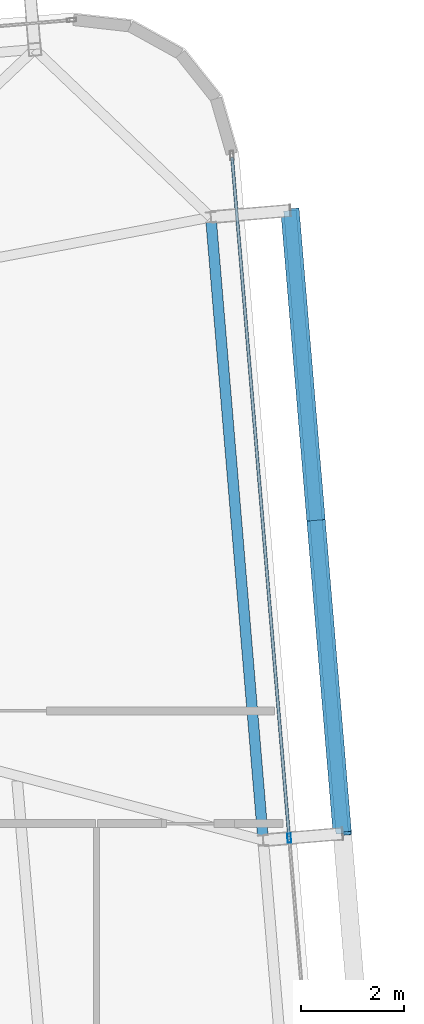
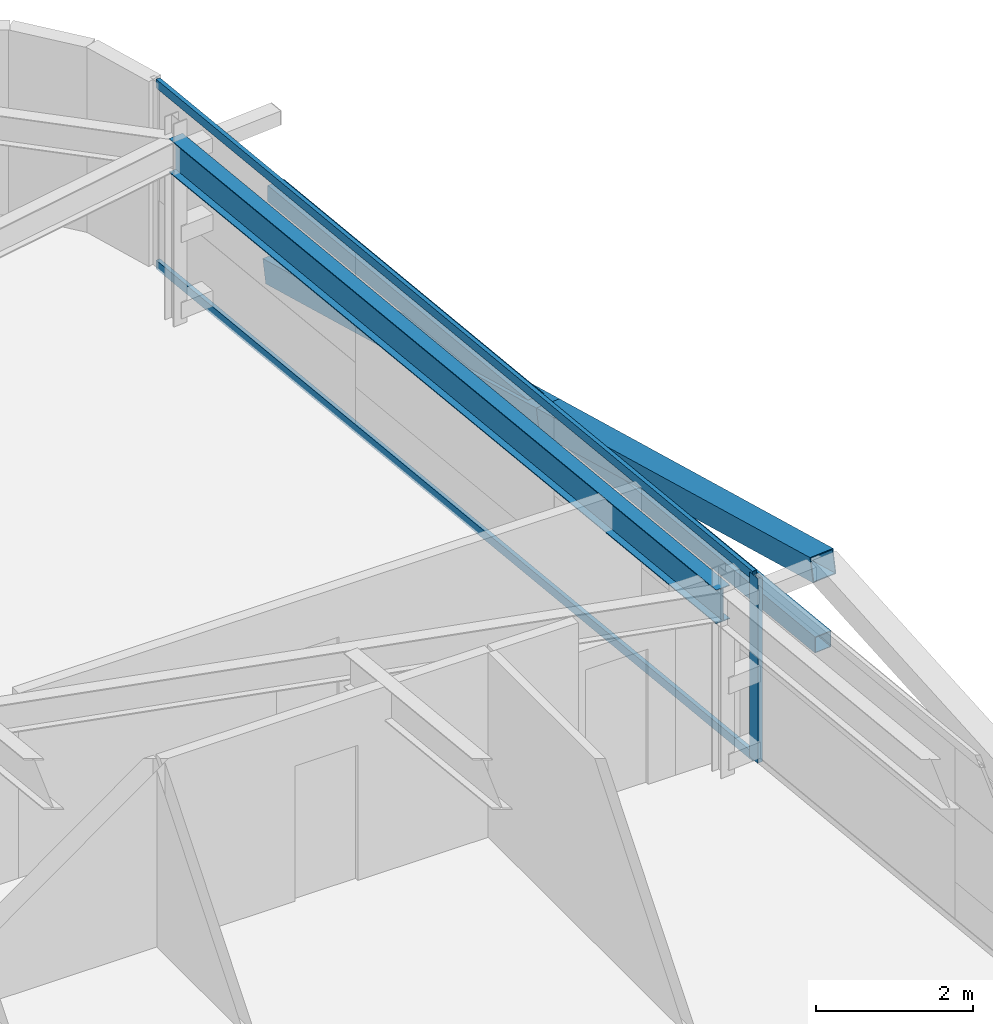
# One storey, part 20 of 39: 6 members, 1 beam, 1 element without a shape of its own.
"""IFC4 building model written with IfcOpenShell, lengths in metres."""

from ifc_helpers import new_model, si_unit, direction, frame, origin, origin_2d, place, context, subcontext, project, spatial, hollow_rectangle, i_section, extrude, source, transform, mapped, material, layer, layer_set, material_profile, profile_set, type_object, element, aggregate, save


model = new_model("IFC4")

# Units and contexts
model_context = context("Model", 3, precision=1e-05, world=origin(), true_north=direction((0.0, 1.0)))
body_context = subcontext(model_context, "Body", "Model", "MODEL_VIEW")
ifc_project = project(units=[si_unit("LENGTHUNIT", "METRE"), si_unit("AREAUNIT", "SQUARE_METRE"), si_unit("VOLUMEUNIT", "CUBIC_METRE"), si_unit("PLANEANGLEUNIT", "RADIAN"), si_unit("MASSUNIT", "GRAM", prefix="KILO")], contexts=[model_context])

# Site, building, storey
site_placement = place(None, origin())
site = spatial("IfcSite", under=ifc_project, at=site_placement, CompositionType="ELEMENT")
building_placement = place(site_placement, origin())
building = spatial("IfcBuilding", under=site, at=building_placement, Name="Taldren Reach Tower", CompositionType="ELEMENT")
storey_placement = place(building_placement, frame((0.0, 0.0, 204.050048828125)))
storey = spatial("IfcBuildingStorey", under=building, at=storey_placement, Name="L62", CompositionType="ELEMENT", Elevation=204.050048828125)

# Beam
ifc_material_1 = material(Name="Steel Gr 350 (350PLUS)", Category="steel")
ifc_material_profile_1 = material_profile(ifc_material_1, i_section(OverallWidth=0.208984375, OverallDepth=0.528076171875, WebThickness=0.009521484375, FlangeThickness=0.01318359375, at=origin_2d()), Name="530UB82.0")
ifc_profile_set_1 = profile_set([ifc_material_profile_1], Name="Steel Gr 350 (350PLUS)")
beam_type = type_object("IfcBeamType", Name="SP-UB530B", PredefinedType="SPANDREL", material=ifc_profile_set_1)
shared_shape_1 = source(origin(), body_context, "Body", "SweptSolid", [
    extrude(i_section(OverallWidth=0.208984375, OverallDepth=0.528076171875, WebThickness=0.009521484375, FlangeThickness=0.01318359375, at=origin_2d()), origin(), (0.0, 0.0, 1.0), 12.199951171875),
])
beam_placement = place(storey_placement, frame((60.6171875, 21.474853515625, 2.60595703125), z_axis=(-0.083668166953, 0.99649367175, 0.0), x_axis=(-0.99649367175, -0.083668166953, 0.0)))
element("IfcBeam", 1, at=beam_placement, inside=storey, type_object=beam_type, Name="Perimeter spandrel B4 E2-E3 L62", PredefinedType="SPANDREL", context=body_context, shape_type="MappedRepresentation", body=[
    mapped(shared_shape_1, transform((0.0, 0.0, 0.0), scale=1.0)),
])

# Members
ifc_material_2 = material(Name="Steel Gr 350 (C350L0)", Category="steel")
ifc_material_profile_2 = material_profile(ifc_material_2, hollow_rectangle(XDim=0.25, YDim=0.25, WallThickness=0.010009765625, at=origin_2d()), Name="250x250x10.0SHS")
ifc_profile_set_2 = profile_set([ifc_material_profile_2], Name="Steel Gr 350 (C350L0)")
member_type_1 = type_object("IfcMemberType", Name="MB-POST250", PredefinedType="POST", material=ifc_profile_set_2)
shared_shape_2 = source(origin(), body_context, "Body", "SweptSolid", [
    extrude(hollow_rectangle(XDim=0.25, YDim=0.25, WallThickness=0.010009765625, at=origin_2d()), origin(), (0.0, 0.0, 1.0), 12.199951171875),
])
member_1_placement = place(storey_placement, frame((62.161865234375, 21.6044921875, 1.405029296875), z_axis=(-0.083688038336, 0.996492003099, 0.0), x_axis=(-0.996492003099, -0.083688038336, 0.0)))
element("IfcMember", 2, at=member_1_placement, inside=storey, type_object=member_type_1, Name="Exoskeleton mid-height ring chord B4-E2 L62", PredefinedType="POST", context=body_context, shape_type="MappedRepresentation", body=[
    mapped(shared_shape_2, transform((0.0, 0.0, 0.0), scale=1.0)),
])
ifc_material_3 = material(Name="Steel Gr 450 (C450L0)", Category="steel")
ifc_material_profile_3 = material_profile(ifc_material_3, hollow_rectangle(XDim=0.360107421875, YDim=0.360107421875, WallThickness=0.0126953125, at=origin_2d()), Name="360x360x12.7SHS")
ifc_profile_set_3 = profile_set([ifc_material_profile_3], Name="Steel Gr 450 (C450L0)")
member_type_2 = type_object("IfcMemberType", Name="MB-EXO356", PredefinedType="BRACE", material=ifc_profile_set_3)
shared_shape_3 = source(origin(), body_context, "Body", "SweptSolid", [
    extrude(hollow_rectangle(XDim=0.360107421875, YDim=0.360107421875, WallThickness=0.0126953125, at=origin_2d()), origin(), (0.0, 0.0, 1.0), 6.214111328125),
])
for number, where, z_axis, x_axis, name in (
    (3, (61.140869140625, 33.76171875, 0.219970703125), (0.082152126962, -0.978203566279, 0.190706085257), (0.996492003099, 0.083688038336, 0.0), "Exoskeleton Diagrid Brace B4-E2 L62"),
    (4, (61.6513671875, 27.68310546875, 1.405029296875), (0.082152742434, -0.978210894841, 0.190668225266), (0.996492003099, 0.083688038336, 0.0), "Exoskeleton Diagrid Brace B4-E2 L62"),
):
    element("IfcMember", number, at=place(storey_placement, frame(where, z_axis=z_axis, x_axis=x_axis)), inside=storey, type_object=member_type_2, Name=name, PredefinedType="BRACE", context=body_context, shape_type="MappedRepresentation", body=[
        mapped(shared_shape_3, transform((0.0, 0.0, 0.0), scale=1.0)),
    ])

# Curtain wall, members
ifc_material_4 = material(Name="Aluminium and Low-E Glass Unitised System", Category="aluminium")
ifc_layer = layer(ifc_material_4, 0.159912109375)
ifc_layer_set = layer_set([ifc_layer], Name="Aluminium and Low-E Glass Unitised System")
curtain_wall_type = type_object("IfcCurtainWallType", Name="CW-SYS-5", PredefinedType="NOTDEFINED", material=ifc_layer_set)
curtain_wall_placement = place(storey_placement, origin())
curtain_wall = element("IfcCurtainWall", 5, at=curtain_wall_placement, inside=storey, type_object=curtain_wall_type, Name="Unitised curtain wall CW-L62-E", PredefinedType="NOTDEFINED")
ifc_material_5 = material(Name="Anodised Aluminium 6063-T6", Category="aluminium")
ifc_material_profile_4 = material_profile(ifc_material_5, hollow_rectangle(XDim=0.070068359375, YDim=0.179931640625, WallThickness=0.00390625, at=origin_2d()), Name="ALU-180x70x4RHS")
ifc_profile_set_4 = profile_set([ifc_material_profile_4], Name="Anodised Aluminium 6063-T6")
member_type_3 = type_object("IfcMemberType", Name="CW-MUL-180", PredefinedType="MULLION", material=ifc_profile_set_4)
shared_shape_4 = source(origin(), body_context, "Body", "SweptSolid", [
    extrude(hollow_rectangle(XDim=0.070068359375, YDim=0.179931640625, WallThickness=0.00390625, at=origin_2d()), origin(), (0.0, 0.0, 1.0), 2.869873046875),
])
member_2_placement = place(storey_placement, frame((61.12548828125, 21.517578125, 0.0), z_axis=(0.0, 0.0, 1.0), x_axis=(-0.996492847789, -0.083677979808, 0.0)))
member_2 = element("IfcMember", 6, at=member_2_placement, type_object=member_type_3, Name="CW-5 mullion 2", PredefinedType="MULLION", context=body_context, shape_type="MappedRepresentation", body=[
    mapped(shared_shape_4, transform((0.0, 0.0, 0.0), scale=1.0)),
])
ifc_material_profile_5 = material_profile(ifc_material_5, hollow_rectangle(XDim=0.06005859375, YDim=0.135009765625, WallThickness=0.00341796875, at=origin_2d()), Name="ALU-135x60x3.5RHS")
ifc_profile_set_5 = profile_set([ifc_material_profile_5], Name="Anodised Aluminium 6063-T6")
member_type_4 = type_object("IfcMemberType", Name="CW-TRN-150", PredefinedType="USERDEFINED", material=ifc_profile_set_5)
shared_shape_5 = source(origin(), body_context, "Body", "SweptSolid", [
    extrude(hollow_rectangle(XDim=0.06005859375, YDim=0.135009765625, WallThickness=0.00341796875, at=origin_2d()), origin(), (0.0, 0.0, 1.0), 13.295166015625),
])
member_3_placement = place(storey_placement, frame((61.12255859375, 21.55224609375, 0.030029296875), z_axis=(-0.083680700004, 0.996492619364, 0.0), x_axis=(-0.996492619364, -0.083680700004, 0.0)))
member_3 = element("IfcMember", 7, at=member_3_placement, type_object=member_type_4, Name="CW-5 transom 2.1", ObjectType="TRANSOM", PredefinedType="USERDEFINED", context=body_context, shape_type="MappedRepresentation", body=[
    mapped(shared_shape_5, transform((0.0, 0.0, 0.0), scale=1.0)),
])
member_4_placement = place(storey_placement, frame((61.12255859375, 21.55224609375, 2.83984375), z_axis=(-0.083680700004, 0.996492619364, 0.0), x_axis=(-0.996492619364, -0.083680700004, 0.0)))
member_4 = element("IfcMember", 8, at=member_4_placement, type_object=member_type_4, Name="CW-5 transom 2.2", ObjectType="TRANSOM", PredefinedType="USERDEFINED", context=body_context, shape_type="MappedRepresentation", body=[
    mapped(shared_shape_5, transform((0.0, 0.0, 0.0), scale=1.0)),
])
aggregate(curtain_wall, [member_2, member_3, member_4])

save(model, "model.ifc")
